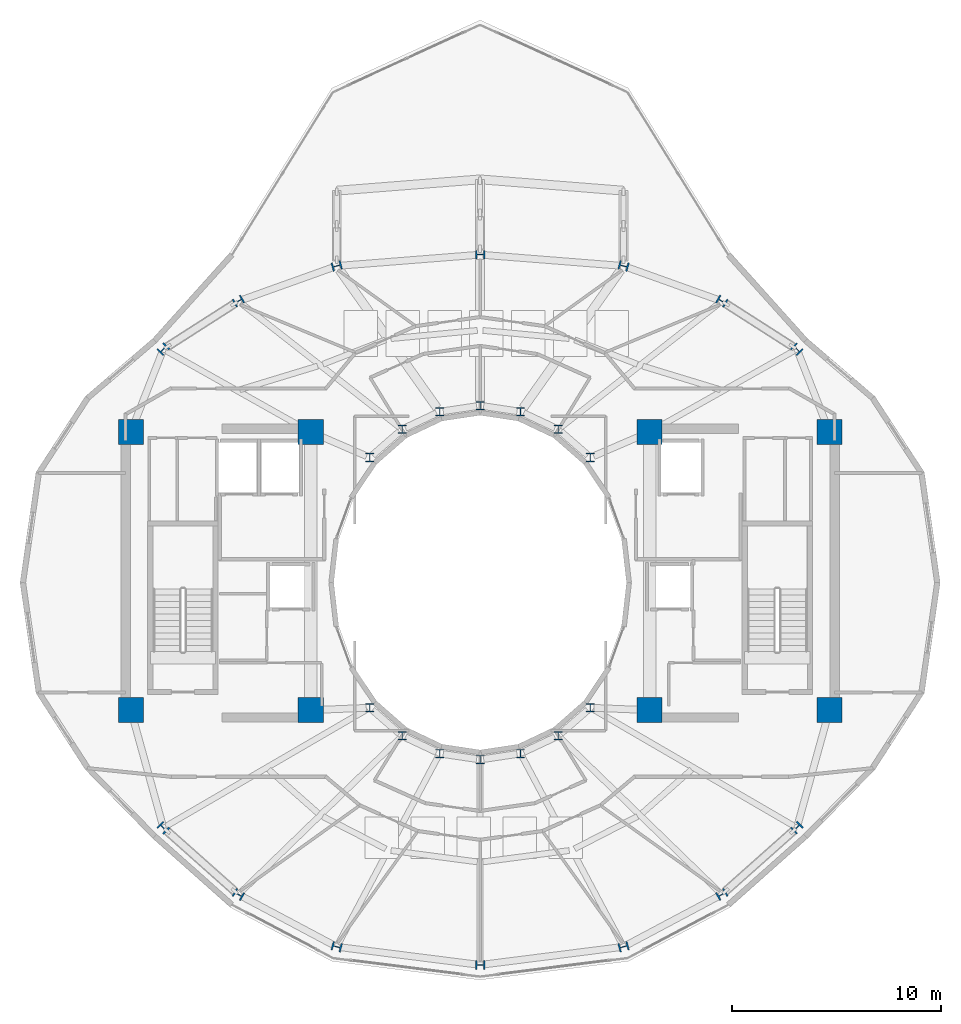
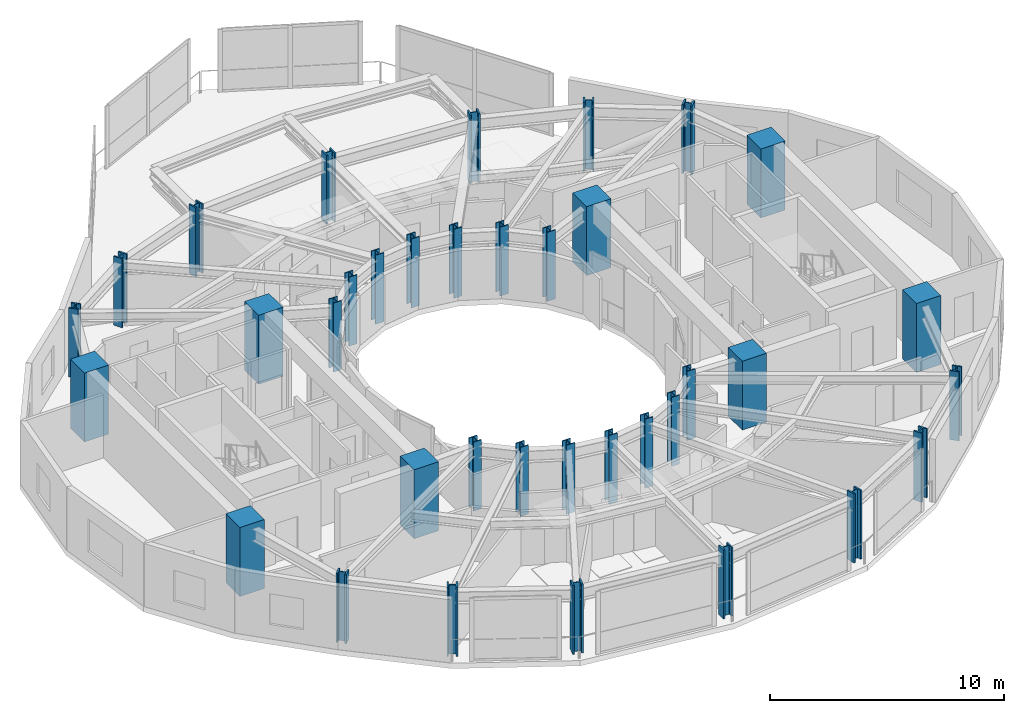
# One storey, part 1 of 24: 36 columns.
"""IFC4 building model written with IfcOpenShell, lengths in metres."""

from ifc_helpers import new_model, si_unit, direction, frame, origin, origin_2d, place, context, subcontext, project, spatial, rectangle, i_section, extrude, material, material_profile, profile_set, type_object, element, save


model = new_model("IFC4")

# Units and contexts
model_context = context("Model", 3, precision=1e-05, world=origin(), true_north=direction((0.0, 1.0)))
body_context = subcontext(model_context, "Body", "Model", "MODEL_VIEW")
ifc_project = project(units=[si_unit("LENGTHUNIT", "METRE"), si_unit("AREAUNIT", "SQUARE_METRE"), si_unit("VOLUMEUNIT", "CUBIC_METRE"), si_unit("PLANEANGLEUNIT", "RADIAN"), si_unit("MASSUNIT", "GRAM", prefix="KILO")], contexts=[model_context])

# Site, building, storey
site_placement = place(None, origin())
site = spatial("IfcSite", under=ifc_project, at=site_placement, CompositionType="ELEMENT")
building_placement = place(site_placement, origin())
building = spatial("IfcBuilding", under=site, at=building_placement, Name="Solvane Sanctuary Tower", CompositionType="ELEMENT")
storey_placement = place(building_placement, frame((0.0, 0.0, 246.0)))
storey = spatial("IfcBuildingStorey", under=building, at=storey_placement, Name="L75", CompositionType="ELEMENT", Elevation=246.0)

# Columns
ifc_material_1 = material(Name="Steel ASTM A913 Grade 65", Category="steel")
ifc_material_profile_1 = material_profile(ifc_material_1, i_section(OverallWidth=0.422119140625, OverallDepth=0.465087890625, WebThickness=0.044921875, FlangeThickness=0.072509765625, FilletRadius=0.02490234375, at=origin_2d()), Name="W14X398")
ifc_profile_set_1 = profile_set([ifc_material_profile_1], Name="Steel ASTM A913 Grade 65")
column_type_1 = type_object("IfcColumnType", Name="Column C-CANT W14X398", PredefinedType="COLUMN", material=ifc_profile_set_1)
for number, where, z_axis, x_axis, name in (
    (1, (47.14501953125, 34.159423828125, 0.0), (0.0, 0.0, 1.0), (0.707106781187, 0.707106781187, 0.0), "L75 Perimeter Tube Column TC01"),
    (2, (43.55517578125, 36.45703125, 0.0), (0.0, 0.0, 1.0), (0.5, 0.866025403784, 0.0), "L75 Perimeter Tube Column TC02"),
    (3, (38.856201171875, 38.13818359375, 0.0), (0.0, 0.0, 1.0), (0.258819045103, 0.965925826289, 0.0), "L75 Perimeter Tube Column TC03"),
    (4, (32.0, 38.679931640625, 0.0), (0.0, 0.0, 1.0), (0.0, 1.0, 0.0), "L75 Perimeter Tube Column TC04"),
    (5, (25.143798828125, 38.13818359375, 0.0), (0.0, 0.0, 1.0), (-0.258819045103, 0.965925826289, 0.0), "L75 Perimeter Tube Column TC05"),
    (6, (20.44482421875, 36.45703125, 0.0), (0.0, 0.0, 1.0), (-0.5, 0.866025403784, 0.0), "L75 Perimeter Tube Column TC06"),
    (7, (16.85498046875, 34.159423828125, 0.0), (0.0, 0.0, 1.0), (-0.707106781187, 0.707106781187, 0.0), "L75 Perimeter Tube Column TC07"),
    (8, (16.85498046875, 11.279052734375, 0.0), (0.0, 0.0, 1.0), (-0.707106781187, -0.707106781187, 0.0), "L75 Perimeter Tube Column TC08"),
    (9, (20.44482421875, 8.086181640625, 0.0), (0.0, 0.0, 1.0), (-0.5, -0.866025403784, 0.0), "L75 Perimeter Tube Column TC09"),
    (10, (25.143798828125, 5.588623046875, 0.0), (0.0, 0.0, 1.0), (-0.258819045103, -0.965925826289, 0.0), "L75 Perimeter Tube Column TC10"),
    (11, (32.0, 4.719970703125, 0.0), (0.0, 0.0, 1.0), (0.0, -1.0, 0.0), "L75 Perimeter Tube Column TC11"),
    (12, (38.856201171875, 5.588623046875, 0.0), (0.0, 0.0, 1.0), (0.258819045103, -0.965925826289, 0.0), "L75 Perimeter Tube Column TC12"),
    (13, (43.55517578125, 8.086181640625, 0.0), (0.0, 0.0, 1.0), (0.5, -0.866025403784, 0.0), "L75 Perimeter Tube Column TC13"),
    (14, (47.14501953125, 11.279052734375, 0.0), (0.0, 0.0, 1.0), (0.707106781187, -0.707106781187, 0.0), "L75 Perimeter Tube Column TC14"),
):
    element("IfcColumn", number, at=place(storey_placement, frame(where, z_axis=z_axis, x_axis=x_axis)), inside=storey, type_object=column_type_1, Name=name, PredefinedType="COLUMN", context=body_context, shape_type="SweptSolid", body=[
        extrude(i_section(OverallWidth=0.422119140625, OverallDepth=0.465087890625, WebThickness=0.044921875, FlangeThickness=0.072509765625, FilletRadius=0.02490234375, at=origin_2d()), origin(), (0.0, 0.0, 1.0), 3.60009765625),
    ])
ifc_material_profile_2 = material_profile(ifc_material_1, i_section(OverallWidth=0.404052734375, OverallDepth=0.406982421875, WebThickness=0.027099609375, FlangeThickness=0.043701171875, FilletRadius=0.02490234375, at=origin_2d()), Name="W14X233")
ifc_profile_set_2 = profile_set([ifc_material_profile_2], Name="Steel ASTM A913 Grade 65")
column_type_2 = type_object("IfcColumnType", Name="Column C-LOUNGE W14X233", PredefinedType="COLUMN", material=ifc_profile_set_2)
for number, where, z_axis, x_axis, name in (
    (15, (37.27490234375, 28.982177734375, 0.0), (0.0, 0.0, 1.0), (1.0, 0.0, 0.0), "L75 Inner Light-Well Ring Column IC01"),
    (16, (35.72998046875, 30.32666015625, 0.0), (0.0, 0.0, 1.0), (1.0, 0.0, 0.0), "L75 Inner Light-Well Ring Column IC02"),
    (17, (33.930908203125, 31.171630859375, 0.0), (0.0, 0.0, 1.0), (1.0, 0.0, 0.0), "L75 Inner Light-Well Ring Column IC03"),
    (18, (32.0, 31.4599609375, 0.0), (0.0, 0.0, 1.0), (1.0, 0.0, 0.0), "L75 Inner Light-Well Ring Column IC04"),
    (19, (30.069091796875, 31.171630859375, 0.0), (0.0, 0.0, 1.0), (1.0, 0.0, 0.0), "L75 Inner Light-Well Ring Column IC05"),
    (20, (28.27001953125, 30.32666015625, 0.0), (0.0, 0.0, 1.0), (1.0, 0.0, 0.0), "L75 Inner Light-Well Ring Column IC06"),
    (21, (26.72509765625, 28.982177734375, 0.0), (0.0, 0.0, 1.0), (1.0, 0.0, 0.0), "L75 Inner Light-Well Ring Column IC07"),
    (22, (26.72509765625, 17.017822265625, 0.0), (0.0, 0.0, 1.0), (1.0, 0.0, 0.0), "L75 Inner Light-Well Ring Column IC08"),
    (23, (28.27001953125, 15.67333984375, 0.0), (0.0, 0.0, 1.0), (1.0, 0.0, 0.0), "L75 Inner Light-Well Ring Column IC09"),
    (24, (30.069091796875, 14.828369140625, 0.0), (0.0, 0.0, 1.0), (1.0, 0.0, 0.0), "L75 Inner Light-Well Ring Column IC10"),
    (25, (32.0, 14.5400390625, 0.0), (0.0, 0.0, 1.0), (1.0, 0.0, 0.0), "L75 Inner Light-Well Ring Column IC11"),
    (26, (33.930908203125, 14.828369140625, 0.0), (0.0, 0.0, 1.0), (1.0, 0.0, 0.0), "L75 Inner Light-Well Ring Column IC12"),
    (27, (35.72998046875, 15.67333984375, 0.0), (0.0, 0.0, 1.0), (1.0, 0.0, 0.0), "L75 Inner Light-Well Ring Column IC13"),
    (28, (37.27490234375, 17.017822265625, 0.0), (0.0, 0.0, 1.0), (1.0, 0.0, 0.0), "L75 Inner Light-Well Ring Column IC14"),
):
    element("IfcColumn", number, at=place(storey_placement, frame(where, z_axis=z_axis, x_axis=x_axis)), inside=storey, type_object=column_type_2, Name=name, PredefinedType="COLUMN", context=body_context, shape_type="SweptSolid", body=[
        extrude(i_section(OverallWidth=0.404052734375, OverallDepth=0.406982421875, WebThickness=0.027099609375, FlangeThickness=0.043701171875, FilletRadius=0.02490234375, at=origin_2d()), origin(), (0.0, 0.0, 1.0), 3.60009765625),
    ])
ifc_material_2 = material(Name="Concrete C70/85", Category="concrete")
ifc_material_profile_3 = material_profile(ifc_material_2, rectangle(XDim=1.199951171875, YDim=1.199951171875, at=origin_2d()), Name="RC1200X1200")
ifc_profile_set_3 = profile_set([ifc_material_profile_3], Name="Concrete C70/85")
column_type_3 = type_object("IfcColumnType", Name="Column C-TUBE-Z1 RC1200X1200", PredefinedType="COLUMN", material=ifc_profile_set_3)
for number, where, z_axis, x_axis, name in (
    (29, (15.300048828125, 16.89990234375, 0.0), (0.0, 0.0, 1.0), (1.0, 0.0, 0.0), "L75 Core Corner Column CW1"),
    (30, (23.89990234375, 16.89990234375, 0.0), (0.0, 0.0, 1.0), (1.0, 0.0, 0.0), "L75 Core Corner Column CW2"),
    (31, (23.89990234375, 30.199951171875, 0.0), (0.0, 0.0, 1.0), (1.0, 0.0, 0.0), "L75 Core Corner Column CW3"),
    (32, (15.300048828125, 30.199951171875, 0.0), (0.0, 0.0, 1.0), (1.0, 0.0, 0.0), "L75 Core Corner Column CW4"),
    (33, (40.10009765625, 16.89990234375, 0.0), (0.0, 0.0, 1.0), (1.0, 0.0, 0.0), "L75 Core Corner Column CE1"),
    (34, (48.699951171875, 16.89990234375, 0.0), (0.0, 0.0, 1.0), (1.0, 0.0, 0.0), "L75 Core Corner Column CE2"),
    (35, (48.699951171875, 30.199951171875, 0.0), (0.0, 0.0, 1.0), (1.0, 0.0, 0.0), "L75 Core Corner Column CE3"),
    (36, (40.10009765625, 30.199951171875, 0.0), (0.0, 0.0, 1.0), (1.0, 0.0, 0.0), "L75 Core Corner Column CE4"),
):
    element("IfcColumn", number, at=place(storey_placement, frame(where, z_axis=z_axis, x_axis=x_axis)), inside=storey, type_object=column_type_3, Name=name, PredefinedType="COLUMN", context=body_context, shape_type="SweptSolid", body=[
        extrude(rectangle(XDim=1.199951171875, YDim=1.199951171875, at=origin_2d()), origin(), (0.0, 0.0, 1.0), 3.60009765625),
    ])

save(model, "model.ifc")
